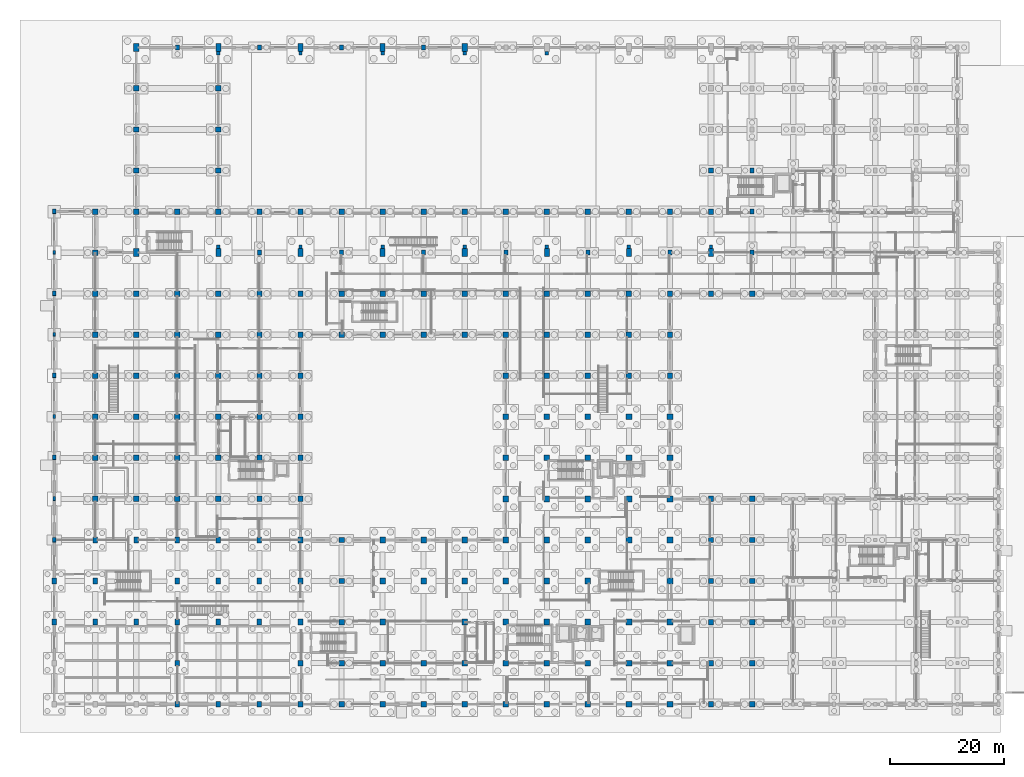
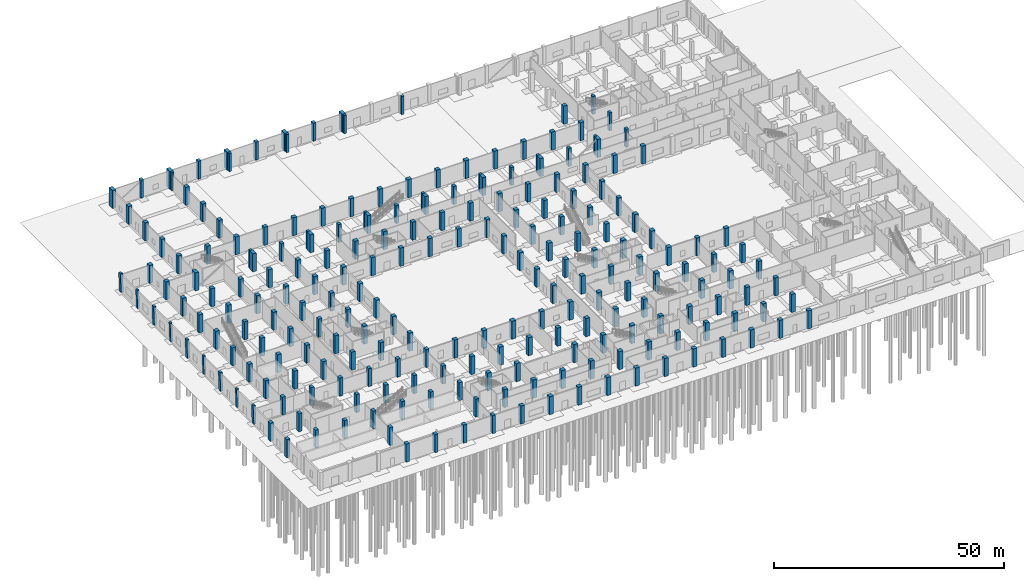
# One storey, part 13 of 48: 227 columns.
"""IFC4 building model written with IfcOpenShell, lengths in metres."""

from ifc_helpers import new_model, si_unit, direction, frame, origin, origin_2d, place, context, subcontext, project, spatial, rectangle, extrude, material, material_profile, profile_set, type_object, element, save


model = new_model("IFC4")

# Units and contexts
model_context = context("Model", 3, precision=1e-05, world=origin(), true_north=direction((0.0, 1.0)))
body_context = subcontext(model_context, "Body", "Model", "MODEL_VIEW")
ifc_project = project(units=[si_unit("LENGTHUNIT", "METRE"), si_unit("AREAUNIT", "SQUARE_METRE"), si_unit("VOLUMEUNIT", "CUBIC_METRE"), si_unit("PLANEANGLEUNIT", "RADIAN"), si_unit("MASSUNIT", "GRAM", prefix="KILO")], contexts=[model_context])

# Site, building, storey
site_placement = place(None, origin())
site = spatial("IfcSite", under=ifc_project, at=site_placement, CompositionType="ELEMENT")
building_placement = place(site_placement, origin())
building = spatial("IfcBuilding", under=site, at=building_placement, Name="Seraya Terrace Polytechnic", CompositionType="ELEMENT")
storey_placement = place(building_placement, origin())
storey = spatial("IfcBuildingStorey", under=building, at=storey_placement, Name="L00", CompositionType="ELEMENT", Elevation=0.0)

# Columns
ifc_material = material(Name="Concrete C40/50", Category="concrete")
ifc_material_profile_1 = material_profile(ifc_material, rectangle(XDim=1.0, YDim=1.0, at=origin_2d()), Name="RC 1000x1000")
ifc_profile_set_1 = profile_set([ifc_material_profile_1], Name="Concrete C40/50")
column_type_1 = type_object("IfcColumnType", Name="C-01", PredefinedType="COLUMN", material=ifc_profile_set_1)
for number, where, z_axis, x_axis, name in (
    (1, (57.60009765625, 0.0, 0.0), (0.0, 0.0, 1.0), (1.0, 0.0, 0.0), "Column C-01 L00 (57.6, 0.0)"),
    (2, (57.60009765625, 7.199951171875, 0.0), (0.0, 0.0, 1.0), (1.0, 0.0, 0.0), "Column C-01 L00 (57.6, 7.2)"),
    (3, (57.60009765625, 14.39990234375, 0.0), (0.0, 0.0, 1.0), (1.0, 0.0, 0.0), "Column C-01 L00 (57.6, 14.4)"),
    (4, (57.60009765625, 21.60009765625, 0.0), (0.0, 0.0, 1.0), (1.0, 0.0, 0.0), "Column C-01 L00 (57.6, 21.6)"),
    (5, (57.60009765625, 28.800048828125, 0.0), (0.0, 0.0, 1.0), (1.0, 0.0, 0.0), "Column C-01 L00 (57.6, 28.8)"),
    (6, (64.800048828125, 0.0, 0.0), (0.0, 0.0, 1.0), (1.0, 0.0, 0.0), "Column C-01 L00 (64.8, 0.0)"),
    (7, (64.800048828125, 7.199951171875, 0.0), (0.0, 0.0, 1.0), (1.0, 0.0, 0.0), "Column C-01 L00 (64.8, 7.2)"),
    (8, (64.800048828125, 21.60009765625, 0.0), (0.0, 0.0, 1.0), (1.0, 0.0, 0.0), "Column C-01 L00 (64.8, 21.6)"),
    (9, (64.800048828125, 28.800048828125, 0.0), (0.0, 0.0, 1.0), (1.0, 0.0, 0.0), "Column C-01 L00 (64.8, 28.8)"),
    (10, (72.0, 0.0, 0.0), (0.0, 0.0, 1.0), (1.0, 0.0, 0.0), "Column C-01 L00 (72.0, 0.0)"),
    (11, (72.0, 7.199951171875, 0.0), (0.0, 0.0, 1.0), (1.0, 0.0, 0.0), "Column C-01 L00 (72.0, 7.2)"),
    (12, (72.0, 14.39990234375, 0.0), (0.0, 0.0, 1.0), (1.0, 0.0, 0.0), "Column C-01 L00 (72.0, 14.4)"),
    (13, (72.0, 21.60009765625, 0.0), (0.0, 0.0, 1.0), (1.0, 0.0, 0.0), "Column C-01 L00 (72.0, 21.6)"),
    (14, (72.0, 28.800048828125, 0.0), (0.0, 0.0, 1.0), (1.0, 0.0, 0.0), "Column C-01 L00 (72.0, 28.8)"),
    (15, (79.199951171875, 0.0, 0.0), (0.0, 0.0, 1.0), (1.0, 0.0, 0.0), "Column C-01 L00 (79.2, 0.0)"),
    (16, (79.199951171875, 7.199951171875, 0.0), (0.0, 0.0, 1.0), (1.0, 0.0, 0.0), "Column C-01 L00 (79.2, 7.2)"),
    (17, (79.199951171875, 14.39990234375, 0.0), (0.0, 0.0, 1.0), (1.0, 0.0, 0.0), "Column C-01 L00 (79.2, 14.4)"),
    (18, (79.199951171875, 21.60009765625, 0.0), (0.0, 0.0, 1.0), (1.0, 0.0, 0.0), "Column C-01 L00 (79.2, 21.6)"),
    (19, (79.199951171875, 28.800048828125, 0.0), (0.0, 0.0, 1.0), (1.0, 0.0, 0.0), "Column C-01 L00 (79.2, 28.8)"),
    (20, (79.199951171875, 36.0, 0.0), (0.0, 0.0, 1.0), (1.0, 0.0, 0.0), "Column C-01 L00 (79.2, 36.0)"),
    (21, (79.199951171875, 43.199951171875, 0.0), (0.0, 0.0, 1.0), (1.0, 0.0, 0.0), "Column C-01 L00 (79.2, 43.2)"),
    (22, (79.199951171875, 50.39990234375, 0.0), (0.0, 0.0, 1.0), (1.0, 0.0, 0.0), "Column C-01 L00 (79.2, 50.4)"),
    (23, (86.39990234375, 0.0, 0.0), (0.0, 0.0, 1.0), (1.0, 0.0, 0.0), "Column C-01 L00 (86.4, 0.0)"),
    (24, (86.39990234375, 7.199951171875, 0.0), (0.0, 0.0, 1.0), (1.0, 0.0, 0.0), "Column C-01 L00 (86.4, 7.2)"),
    (25, (86.39990234375, 14.39990234375, 0.0), (0.0, 0.0, 1.0), (1.0, 0.0, 0.0), "Column C-01 L00 (86.4, 14.4)"),
    (26, (86.39990234375, 21.60009765625, 0.0), (0.0, 0.0, 1.0), (1.0, 0.0, 0.0), "Column C-01 L00 (86.4, 21.6)"),
    (27, (86.39990234375, 28.800048828125, 0.0), (0.0, 0.0, 1.0), (1.0, 0.0, 0.0), "Column C-01 L00 (86.4, 28.8)"),
    (28, (86.39990234375, 36.0, 0.0), (0.0, 0.0, 1.0), (1.0, 0.0, 0.0), "Column C-01 L00 (86.4, 36.0)"),
    (29, (86.39990234375, 43.199951171875, 0.0), (0.0, 0.0, 1.0), (1.0, 0.0, 0.0), "Column C-01 L00 (86.4, 43.2)"),
    (30, (86.39990234375, 50.39990234375, 0.0), (0.0, 0.0, 1.0), (1.0, 0.0, 0.0), "Column C-01 L00 (86.4, 50.4)"),
    (31, (93.60009765625, 0.0, 0.0), (0.0, 0.0, 1.0), (1.0, 0.0, 0.0), "Column C-01 L00 (93.6, 0.0)"),
    (32, (93.60009765625, 7.199951171875, 0.0), (0.0, 0.0, 1.0), (1.0, 0.0, 0.0), "Column C-01 L00 (93.6, 7.2)"),
    (33, (93.60009765625, 14.39990234375, 0.0), (0.0, 0.0, 1.0), (1.0, 0.0, 0.0), "Column C-01 L00 (93.6, 14.4)"),
    (34, (93.60009765625, 21.60009765625, 0.0), (0.0, 0.0, 1.0), (1.0, 0.0, 0.0), "Column C-01 L00 (93.6, 21.6)"),
    (35, (93.60009765625, 28.800048828125, 0.0), (0.0, 0.0, 1.0), (1.0, 0.0, 0.0), "Column C-01 L00 (93.6, 28.8)"),
    (36, (93.60009765625, 36.0, 0.0), (0.0, 0.0, 1.0), (1.0, 0.0, 0.0), "Column C-01 L00 (93.6, 36.0)"),
    (37, (93.60009765625, 43.199951171875, 0.0), (0.0, 0.0, 1.0), (1.0, 0.0, 0.0), "Column C-01 L00 (93.6, 43.2)"),
    (38, (93.60009765625, 50.39990234375, 0.0), (0.0, 0.0, 1.0), (1.0, 0.0, 0.0), "Column C-01 L00 (93.6, 50.4)"),
    (39, (100.800048828125, 0.0, 0.0), (0.0, 0.0, 1.0), (1.0, 0.0, 0.0), "Column C-01 L00 (100.8, 0.0)"),
    (40, (100.800048828125, 7.199951171875, 0.0), (0.0, 0.0, 1.0), (1.0, 0.0, 0.0), "Column C-01 L00 (100.8, 7.2)"),
    (41, (100.800048828125, 14.39990234375, 0.0), (0.0, 0.0, 1.0), (1.0, 0.0, 0.0), "Column C-01 L00 (100.8, 14.4)"),
    (42, (100.800048828125, 28.800048828125, 0.0), (0.0, 0.0, 1.0), (1.0, 0.0, 0.0), "Column C-01 L00 (100.8, 28.8)"),
    (43, (100.800048828125, 36.0, 0.0), (0.0, 0.0, 1.0), (1.0, 0.0, 0.0), "Column C-01 L00 (100.8, 36.0)"),
    (44, (100.800048828125, 43.199951171875, 0.0), (0.0, 0.0, 1.0), (1.0, 0.0, 0.0), "Column C-01 L00 (100.8, 43.2)"),
    (45, (100.800048828125, 50.39990234375, 0.0), (0.0, 0.0, 1.0), (1.0, 0.0, 0.0), "Column C-01 L00 (100.8, 50.4)"),
    (46, (108.0, 0.0, 0.0), (0.0, 0.0, 1.0), (1.0, 0.0, 0.0), "Column C-01 L00 (108.0, 0.0)"),
    (47, (108.0, 7.199951171875, 0.0), (0.0, 0.0, 1.0), (1.0, 0.0, 0.0), "Column C-01 L00 (108.0, 7.2)"),
    (48, (108.0, 14.39990234375, 0.0), (0.0, 0.0, 1.0), (1.0, 0.0, 0.0), "Column C-01 L00 (108.0, 14.4)"),
    (49, (108.0, 21.60009765625, 0.0), (0.0, 0.0, 1.0), (1.0, 0.0, 0.0), "Column C-01 L00 (108.0, 21.6)"),
    (50, (108.0, 28.800048828125, 0.0), (0.0, 0.0, 1.0), (1.0, 0.0, 0.0), "Column C-01 L00 (108.0, 28.8)"),
    (51, (108.0, 36.0, 0.0), (0.0, 0.0, 1.0), (1.0, 0.0, 0.0), "Column C-01 L00 (108.0, 36.0)"),
    (52, (108.0, 43.199951171875, 0.0), (0.0, 0.0, 1.0), (1.0, 0.0, 0.0), "Column C-01 L00 (108.0, 43.2)"),
    (53, (108.0, 50.39990234375, 0.0), (0.0, 0.0, 1.0), (1.0, 0.0, 0.0), "Column C-01 L00 (108.0, 50.4)"),
):
    element("IfcColumn", number, at=place(storey_placement, frame(where, z_axis=z_axis, x_axis=x_axis)), inside=storey, type_object=column_type_1, Name=name, PredefinedType="COLUMN", context=body_context, shape_type="SweptSolid", body=[
        extrude(rectangle(XDim=1.0, YDim=1.0, at=origin_2d()), origin(), (0.0, 0.0, 1.0), 4.800048828125),
    ])
ifc_material_profile_2 = material_profile(ifc_material, rectangle(XDim=0.949951171875, YDim=0.949951171875, at=origin_2d()), Name="RC 950x950")
ifc_profile_set_2 = profile_set([ifc_material_profile_2], Name="Concrete C40/50")
column_type_2 = type_object("IfcColumnType", Name="C-02", PredefinedType="COLUMN", material=ifc_profile_set_2)
for number, where, z_axis, x_axis, name in (
    (54, (7.199951171875, 36.0, 0.0), (0.0, 0.0, 1.0), (1.0, 0.0, 0.0), "Column C-02 L00 (7.2, 36.0)"),
    (55, (7.199951171875, 43.199951171875, 0.0), (0.0, 0.0, 1.0), (1.0, 0.0, 0.0), "Column C-02 L00 (7.2, 43.2)"),
    (56, (7.199951171875, 50.39990234375, 0.0), (0.0, 0.0, 1.0), (1.0, 0.0, 0.0), "Column C-02 L00 (7.2, 50.4)"),
    (57, (7.199951171875, 57.60009765625, 0.0), (0.0, 0.0, 1.0), (1.0, 0.0, 0.0), "Column C-02 L00 (7.2, 57.6)"),
    (58, (7.199951171875, 64.800048828125, 0.0), (0.0, 0.0, 1.0), (1.0, 0.0, 0.0), "Column C-02 L00 (7.2, 64.8)"),
    (59, (7.199951171875, 72.0, 0.0), (0.0, 0.0, 1.0), (1.0, 0.0, 0.0), "Column C-02 L00 (7.2, 72.0)"),
    (60, (7.199951171875, 79.199951171875, 0.0), (0.0, 0.0, 1.0), (1.0, 0.0, 0.0), "Column C-02 L00 (7.2, 79.2)"),
    (61, (7.199951171875, 86.39990234375, 0.0), (0.0, 0.0, 1.0), (1.0, 0.0, 0.0), "Column C-02 L00 (7.2, 86.4)"),
    (62, (14.39990234375, 36.0, 0.0), (0.0, 0.0, 1.0), (1.0, 0.0, 0.0), "Column C-02 L00 (14.4, 36.0)"),
    (63, (14.39990234375, 43.199951171875, 0.0), (0.0, 0.0, 1.0), (1.0, 0.0, 0.0), "Column C-02 L00 (14.4, 43.2)"),
    (64, (14.39990234375, 50.39990234375, 0.0), (0.0, 0.0, 1.0), (1.0, 0.0, 0.0), "Column C-02 L00 (14.4, 50.4)"),
    (65, (14.39990234375, 57.60009765625, 0.0), (0.0, 0.0, 1.0), (1.0, 0.0, 0.0), "Column C-02 L00 (14.4, 57.6)"),
    (66, (14.39990234375, 64.800048828125, 0.0), (0.0, 0.0, 1.0), (1.0, 0.0, 0.0), "Column C-02 L00 (14.4, 64.8)"),
    (67, (14.39990234375, 72.0, 0.0), (0.0, 0.0, 1.0), (1.0, 0.0, 0.0), "Column C-02 L00 (14.4, 72.0)"),
    (68, (14.39990234375, 86.39990234375, 0.0), (0.0, 0.0, 1.0), (1.0, 0.0, 0.0), "Column C-02 L00 (14.4, 86.4)"),
    (69, (14.39990234375, 93.60009765625, 0.0), (0.0, 0.0, 1.0), (1.0, 0.0, 0.0), "Column C-02 L00 (14.4, 93.6)"),
    (70, (14.39990234375, 100.800048828125, 0.0), (0.0, 0.0, 1.0), (1.0, 0.0, 0.0), "Column C-02 L00 (14.4, 100.8)"),
    (71, (14.39990234375, 108.0, 0.0), (0.0, 0.0, 1.0), (1.0, 0.0, 0.0), "Column C-02 L00 (14.4, 108.0)"),
    (72, (21.60009765625, 36.0, 0.0), (0.0, 0.0, 1.0), (1.0, 0.0, 0.0), "Column C-02 L00 (21.6, 36.0)"),
    (73, (21.60009765625, 43.199951171875, 0.0), (0.0, 0.0, 1.0), (1.0, 0.0, 0.0), "Column C-02 L00 (21.6, 43.2)"),
    (74, (21.60009765625, 50.39990234375, 0.0), (0.0, 0.0, 1.0), (1.0, 0.0, 0.0), "Column C-02 L00 (21.6, 50.4)"),
    (75, (21.60009765625, 57.60009765625, 0.0), (0.0, 0.0, 1.0), (1.0, 0.0, 0.0), "Column C-02 L00 (21.6, 57.6)"),
    (76, (21.60009765625, 64.800048828125, 0.0), (0.0, 0.0, 1.0), (1.0, 0.0, 0.0), "Column C-02 L00 (21.6, 64.8)"),
    (77, (21.60009765625, 72.0, 0.0), (0.0, 0.0, 1.0), (1.0, 0.0, 0.0), "Column C-02 L00 (21.6, 72.0)"),
    (78, (21.60009765625, 86.39990234375, 0.0), (0.0, 0.0, 1.0), (1.0, 0.0, 0.0), "Column C-02 L00 (21.6, 86.4)"),
    (79, (28.800048828125, 36.0, 0.0), (0.0, 0.0, 1.0), (1.0, 0.0, 0.0), "Column C-02 L00 (28.8, 36.0)"),
    (80, (28.800048828125, 43.199951171875, 0.0), (0.0, 0.0, 1.0), (1.0, 0.0, 0.0), "Column C-02 L00 (28.8, 43.2)"),
    (81, (28.800048828125, 50.39990234375, 0.0), (0.0, 0.0, 1.0), (1.0, 0.0, 0.0), "Column C-02 L00 (28.8, 50.4)"),
    (82, (28.800048828125, 57.60009765625, 0.0), (0.0, 0.0, 1.0), (1.0, 0.0, 0.0), "Column C-02 L00 (28.8, 57.6)"),
    (83, (28.800048828125, 64.800048828125, 0.0), (0.0, 0.0, 1.0), (1.0, 0.0, 0.0), "Column C-02 L00 (28.8, 64.8)"),
    (84, (28.800048828125, 72.0, 0.0), (0.0, 0.0, 1.0), (1.0, 0.0, 0.0), "Column C-02 L00 (28.8, 72.0)"),
    (85, (28.800048828125, 86.39990234375, 0.0), (0.0, 0.0, 1.0), (1.0, 0.0, 0.0), "Column C-02 L00 (28.8, 86.4)"),
    (86, (28.800048828125, 93.60009765625, 0.0), (0.0, 0.0, 1.0), (1.0, 0.0, 0.0), "Column C-02 L00 (28.8, 93.6)"),
    (87, (28.800048828125, 100.800048828125, 0.0), (0.0, 0.0, 1.0), (1.0, 0.0, 0.0), "Column C-02 L00 (28.8, 100.8)"),
    (88, (28.800048828125, 108.0, 0.0), (0.0, 0.0, 1.0), (1.0, 0.0, 0.0), "Column C-02 L00 (28.8, 108.0)"),
    (89, (36.0, 36.0, 0.0), (0.0, 0.0, 1.0), (1.0, 0.0, 0.0), "Column C-02 L00 (36.0, 36.0)"),
    (90, (36.0, 43.199951171875, 0.0), (0.0, 0.0, 1.0), (1.0, 0.0, 0.0), "Column C-02 L00 (36.0, 43.2)"),
    (91, (36.0, 50.39990234375, 0.0), (0.0, 0.0, 1.0), (1.0, 0.0, 0.0), "Column C-02 L00 (36.0, 50.4)"),
    (92, (36.0, 57.60009765625, 0.0), (0.0, 0.0, 1.0), (1.0, 0.0, 0.0), "Column C-02 L00 (36.0, 57.6)"),
    (93, (36.0, 64.800048828125, 0.0), (0.0, 0.0, 1.0), (1.0, 0.0, 0.0), "Column C-02 L00 (36.0, 64.8)"),
    (94, (36.0, 72.0, 0.0), (0.0, 0.0, 1.0), (1.0, 0.0, 0.0), "Column C-02 L00 (36.0, 72.0)"),
    (95, (36.0, 86.39990234375, 0.0), (0.0, 0.0, 1.0), (1.0, 0.0, 0.0), "Column C-02 L00 (36.0, 86.4)"),
    (96, (43.199951171875, 36.0, 0.0), (0.0, 0.0, 1.0), (1.0, 0.0, 0.0), "Column C-02 L00 (43.2, 36.0)"),
    (97, (43.199951171875, 43.199951171875, 0.0), (0.0, 0.0, 1.0), (1.0, 0.0, 0.0), "Column C-02 L00 (43.2, 43.2)"),
    (98, (43.199951171875, 50.39990234375, 0.0), (0.0, 0.0, 1.0), (1.0, 0.0, 0.0), "Column C-02 L00 (43.2, 50.4)"),
    (99, (43.199951171875, 57.60009765625, 0.0), (0.0, 0.0, 1.0), (1.0, 0.0, 0.0), "Column C-02 L00 (43.2, 57.6)"),
    (100, (43.199951171875, 64.800048828125, 0.0), (0.0, 0.0, 1.0), (1.0, 0.0, 0.0), "Column C-02 L00 (43.2, 64.8)"),
    (101, (43.199951171875, 72.0, 0.0), (0.0, 0.0, 1.0), (1.0, 0.0, 0.0), "Column C-02 L00 (43.2, 72.0)"),
    (102, (43.199951171875, 86.39990234375, 0.0), (0.0, 0.0, 1.0), (1.0, 0.0, 0.0), "Column C-02 L00 (43.2, 86.4)"),
    (103, (50.39990234375, 0.0, 0.0), (0.0, 0.0, 1.0), (1.0, 0.0, 0.0), "Column C-02 L00 (50.4, 0.0)"),
    (104, (50.39990234375, 7.199951171875, 0.0), (0.0, 0.0, 1.0), (1.0, 0.0, 0.0), "Column C-02 L00 (50.4, 7.2)"),
    (105, (50.39990234375, 14.39990234375, 0.0), (0.0, 0.0, 1.0), (1.0, 0.0, 0.0), "Column C-02 L00 (50.4, 14.4)"),
    (106, (50.39990234375, 21.60009765625, 0.0), (0.0, 0.0, 1.0), (1.0, 0.0, 0.0), "Column C-02 L00 (50.4, 21.6)"),
    (107, (50.39990234375, 28.800048828125, 0.0), (0.0, 0.0, 1.0), (1.0, 0.0, 0.0), "Column C-02 L00 (50.4, 28.8)"),
    (108, (50.39990234375, 64.800048828125, 0.0), (0.0, 0.0, 1.0), (1.0, 0.0, 0.0), "Column C-02 L00 (50.4, 64.8)"),
    (109, (50.39990234375, 72.0, 0.0), (0.0, 0.0, 1.0), (1.0, 0.0, 0.0), "Column C-02 L00 (50.4, 72.0)"),
    (110, (50.39990234375, 86.39990234375, 0.0), (0.0, 0.0, 1.0), (1.0, 0.0, 0.0), "Column C-02 L00 (50.4, 86.4)"),
    (111, (57.60009765625, 64.800048828125, 0.0), (0.0, 0.0, 1.0), (1.0, 0.0, 0.0), "Column C-02 L00 (57.6, 64.8)"),
    (112, (57.60009765625, 72.0, 0.0), (0.0, 0.0, 1.0), (1.0, 0.0, 0.0), "Column C-02 L00 (57.6, 72.0)"),
    (113, (57.60009765625, 86.39990234375, 0.0), (0.0, 0.0, 1.0), (1.0, 0.0, 0.0), "Column C-02 L00 (57.6, 86.4)"),
    (114, (64.800048828125, 64.800048828125, 0.0), (0.0, 0.0, 1.0), (1.0, 0.0, 0.0), "Column C-02 L00 (64.8, 64.8)"),
    (115, (64.800048828125, 72.0, 0.0), (0.0, 0.0, 1.0), (1.0, 0.0, 0.0), "Column C-02 L00 (64.8, 72.0)"),
    (116, (64.800048828125, 86.39990234375, 0.0), (0.0, 0.0, 1.0), (1.0, 0.0, 0.0), "Column C-02 L00 (64.8, 86.4)"),
    (117, (72.0, 64.800048828125, 0.0), (0.0, 0.0, 1.0), (1.0, 0.0, 0.0), "Column C-02 L00 (72.0, 64.8)"),
    (118, (72.0, 72.0, 0.0), (0.0, 0.0, 1.0), (1.0, 0.0, 0.0), "Column C-02 L00 (72.0, 72.0)"),
    (119, (72.0, 86.39990234375, 0.0), (0.0, 0.0, 1.0), (1.0, 0.0, 0.0), "Column C-02 L00 (72.0, 86.4)"),
    (120, (79.199951171875, 57.60009765625, 0.0), (0.0, 0.0, 1.0), (1.0, 0.0, 0.0), "Column C-02 L00 (79.2, 57.6)"),
    (121, (79.199951171875, 64.800048828125, 0.0), (0.0, 0.0, 1.0), (1.0, 0.0, 0.0), "Column C-02 L00 (79.2, 64.8)"),
    (122, (79.199951171875, 72.0, 0.0), (0.0, 0.0, 1.0), (1.0, 0.0, 0.0), "Column C-02 L00 (79.2, 72.0)"),
    (123, (79.199951171875, 86.39990234375, 0.0), (0.0, 0.0, 1.0), (1.0, 0.0, 0.0), "Column C-02 L00 (79.2, 86.4)"),
    (124, (86.39990234375, 57.60009765625, 0.0), (0.0, 0.0, 1.0), (1.0, 0.0, 0.0), "Column C-02 L00 (86.4, 57.6)"),
    (125, (86.39990234375, 64.800048828125, 0.0), (0.0, 0.0, 1.0), (1.0, 0.0, 0.0), "Column C-02 L00 (86.4, 64.8)"),
    (126, (86.39990234375, 72.0, 0.0), (0.0, 0.0, 1.0), (1.0, 0.0, 0.0), "Column C-02 L00 (86.4, 72.0)"),
    (127, (86.39990234375, 86.39990234375, 0.0), (0.0, 0.0, 1.0), (1.0, 0.0, 0.0), "Column C-02 L00 (86.4, 86.4)"),
    (128, (93.60009765625, 57.60009765625, 0.0), (0.0, 0.0, 1.0), (1.0, 0.0, 0.0), "Column C-02 L00 (93.6, 57.6)"),
    (129, (93.60009765625, 64.800048828125, 0.0), (0.0, 0.0, 1.0), (1.0, 0.0, 0.0), "Column C-02 L00 (93.6, 64.8)"),
    (130, (93.60009765625, 72.0, 0.0), (0.0, 0.0, 1.0), (1.0, 0.0, 0.0), "Column C-02 L00 (93.6, 72.0)"),
    (131, (93.60009765625, 86.39990234375, 0.0), (0.0, 0.0, 1.0), (1.0, 0.0, 0.0), "Column C-02 L00 (93.6, 86.4)"),
    (132, (100.800048828125, 57.60009765625, 0.0), (0.0, 0.0, 1.0), (1.0, 0.0, 0.0), "Column C-02 L00 (100.8, 57.6)"),
    (133, (100.800048828125, 64.800048828125, 0.0), (0.0, 0.0, 1.0), (1.0, 0.0, 0.0), "Column C-02 L00 (100.8, 64.8)"),
    (134, (100.800048828125, 72.0, 0.0), (0.0, 0.0, 1.0), (1.0, 0.0, 0.0), "Column C-02 L00 (100.8, 72.0)"),
    (135, (100.800048828125, 86.39990234375, 0.0), (0.0, 0.0, 1.0), (1.0, 0.0, 0.0), "Column C-02 L00 (100.8, 86.4)"),
    (136, (108.0, 57.60009765625, 0.0), (0.0, 0.0, 1.0), (1.0, 0.0, 0.0), "Column C-02 L00 (108.0, 57.6)"),
    (137, (108.0, 64.800048828125, 0.0), (0.0, 0.0, 1.0), (1.0, 0.0, 0.0), "Column C-02 L00 (108.0, 64.8)"),
    (138, (108.0, 72.0, 0.0), (0.0, 0.0, 1.0), (1.0, 0.0, 0.0), "Column C-02 L00 (108.0, 72.0)"),
    (139, (108.0, 86.39990234375, 0.0), (0.0, 0.0, 1.0), (1.0, 0.0, 0.0), "Column C-02 L00 (108.0, 86.4)"),
    (140, (115.199951171875, 0.0, 0.0), (0.0, 0.0, 1.0), (1.0, 0.0, 0.0), "Column C-02 L00 (115.2, 0.0)"),
    (141, (115.199951171875, 7.199951171875, 0.0), (0.0, 0.0, 1.0), (1.0, 0.0, 0.0), "Column C-02 L00 (115.2, 7.2)"),
    (142, (115.199951171875, 14.39990234375, 0.0), (0.0, 0.0, 1.0), (1.0, 0.0, 0.0), "Column C-02 L00 (115.2, 14.4)"),
    (143, (115.199951171875, 21.60009765625, 0.0), (0.0, 0.0, 1.0), (1.0, 0.0, 0.0), "Column C-02 L00 (115.2, 21.6)"),
    (144, (115.199951171875, 28.800048828125, 0.0), (0.0, 0.0, 1.0), (1.0, 0.0, 0.0), "Column C-02 L00 (115.2, 28.8)"),
    (145, (115.199951171875, 36.0, 0.0), (0.0, 0.0, 1.0), (1.0, 0.0, 0.0), "Column C-02 L00 (115.2, 36.0)"),
    (146, (115.199951171875, 72.0, 0.0), (0.0, 0.0, 1.0), (1.0, 0.0, 0.0), "Column C-02 L00 (115.2, 72.0)"),
    (147, (115.199951171875, 86.39990234375, 0.0), (0.0, 0.0, 1.0), (1.0, 0.0, 0.0), "Column C-02 L00 (115.2, 86.4)"),
    (148, (115.199951171875, 93.60009765625, 0.0), (0.0, 0.0, 1.0), (1.0, 0.0, 0.0), "Column C-02 L00 (115.2, 93.6)"),
    (149, (122.39990234375, 0.0, 0.0), (0.0, 0.0, 1.0), (1.0, 0.0, 0.0), "Column C-02 L00 (122.4, 0.0)"),
    (150, (122.39990234375, 7.199951171875, 0.0), (0.0, 0.0, 1.0), (1.0, 0.0, 0.0), "Column C-02 L00 (122.4, 7.2)"),
    (151, (122.39990234375, 14.39990234375, 0.0), (0.0, 0.0, 1.0), (1.0, 0.0, 0.0), "Column C-02 L00 (122.4, 14.4)"),
    (152, (122.39990234375, 21.60009765625, 0.0), (0.0, 0.0, 1.0), (1.0, 0.0, 0.0), "Column C-02 L00 (122.4, 21.6)"),
    (153, (122.39990234375, 28.800048828125, 0.0), (0.0, 0.0, 1.0), (1.0, 0.0, 0.0), "Column C-02 L00 (122.4, 28.8)"),
    (154, (122.39990234375, 36.0, 0.0), (0.0, 0.0, 1.0), (1.0, 0.0, 0.0), "Column C-02 L00 (122.4, 36.0)"),
    (155, (122.39990234375, 72.0, 0.0), (0.0, 0.0, 1.0), (1.0, 0.0, 0.0), "Column C-02 L00 (122.4, 72.0)"),
):
    element("IfcColumn", number, at=place(storey_placement, frame(where, z_axis=z_axis, x_axis=x_axis)), inside=storey, type_object=column_type_2, Name=name, PredefinedType="COLUMN", context=body_context, shape_type="SweptSolid", body=[
        extrude(rectangle(XDim=0.949951171875, YDim=0.949951171875, at=origin_2d()), origin(), (0.0, 0.0, 1.0), 4.800048828125),
    ])
ifc_material_profile_3 = material_profile(ifc_material, rectangle(XDim=0.60009765625, YDim=0.60009765625, at=origin_2d()), Name="RC 600x600")
ifc_profile_set_3 = profile_set([ifc_material_profile_3], Name="Concrete C40/50")
column_type_3 = type_object("IfcColumnType", Name="C-09", PredefinedType="COLUMN", material=ifc_profile_set_3)
for number, where, z_axis, x_axis, name in (
    (156, (28.800048828125, 80.219970703125, 0.0), (0.0, 0.0, 1.0), (1.0, 0.0, 0.0), "Crane shoulder column L00 (28.8, 80.22)"),
    (157, (28.800048828125, 114.179931640625, 0.0), (0.0, 0.0, 1.0), (1.0, 0.0, 0.0), "Crane shoulder column L00 (28.8, 114.18)"),
    (158, (43.199951171875, 80.219970703125, 0.0), (0.0, 0.0, 1.0), (1.0, 0.0, 0.0), "Crane shoulder column L00 (43.2, 80.22)"),
    (159, (43.199951171875, 114.179931640625, 0.0), (0.0, 0.0, 1.0), (1.0, 0.0, 0.0), "Crane shoulder column L00 (43.2, 114.18)"),
    (160, (57.60009765625, 80.219970703125, 0.0), (0.0, 0.0, 1.0), (1.0, 0.0, 0.0), "Crane shoulder column L00 (57.6, 80.22)"),
    (161, (57.60009765625, 114.179931640625, 0.0), (0.0, 0.0, 1.0), (1.0, 0.0, 0.0), "Crane shoulder column L00 (57.6, 114.18)"),
    (162, (72.0, 80.219970703125, 0.0), (0.0, 0.0, 1.0), (1.0, 0.0, 0.0), "Crane shoulder column L00 (72.0, 80.22)"),
    (163, (72.0, 114.179931640625, 0.0), (0.0, 0.0, 1.0), (1.0, 0.0, 0.0), "Crane shoulder column L00 (72.0, 114.18)"),
    (164, (86.39990234375, 80.219970703125, 0.0), (0.0, 0.0, 1.0), (1.0, 0.0, 0.0), "Crane shoulder column L00 (86.4, 80.22)"),
    (165, (86.39990234375, 114.179931640625, 0.0), (0.0, 0.0, 1.0), (1.0, 0.0, 0.0), "Crane shoulder column L00 (86.4, 114.18)"),
    (166, (100.800048828125, 80.219970703125, 0.0), (0.0, 0.0, 1.0), (1.0, 0.0, 0.0), "Crane shoulder column L00 (100.8, 80.22)"),
    (167, (115.199951171875, 80.219970703125, 0.0), (0.0, 0.0, 1.0), (1.0, 0.0, 0.0), "Crane shoulder column L00 (115.2, 80.22)"),
):
    element("IfcColumn", number, at=place(storey_placement, frame(where, z_axis=z_axis, x_axis=x_axis)), inside=storey, type_object=column_type_3, Name=name, PredefinedType="COLUMN", context=body_context, shape_type="SweptSolid", body=[
        extrude(rectangle(XDim=0.60009765625, YDim=0.60009765625, at=origin_2d()), origin(), (0.0, 0.0, 1.0), 4.800048828125),
    ])
ifc_material_profile_4 = material_profile(ifc_material, rectangle(XDim=0.89990234375, YDim=1.39990234375, at=origin_2d()), Name="RC 900x1400")
ifc_profile_set_4 = profile_set([ifc_material_profile_4], Name="Concrete C40/50")
column_type_4 = type_object("IfcColumnType", Name="C-13", PredefinedType="COLUMN", material=ifc_profile_set_4)
for number, where, z_axis, x_axis, name in (
    (168, (14.39990234375, 79.199951171875, 0.0), (0.0, 0.0, 1.0), (1.0, 0.0, 0.0), "Column C-13 L00 (14.4, 79.2)"),
    (169, (14.39990234375, 115.199951171875, 0.0), (0.0, 0.0, 1.0), (1.0, 0.0, 0.0), "Column C-13 L00 (14.4, 115.2)"),
    (170, (28.800048828125, 79.199951171875, 0.0), (0.0, 0.0, 1.0), (1.0, 0.0, 0.0), "Column C-13 L00 (28.8, 79.2)"),
    (171, (28.800048828125, 115.199951171875, 0.0), (0.0, 0.0, 1.0), (1.0, 0.0, 0.0), "Column C-13 L00 (28.8, 115.2)"),
    (172, (43.199951171875, 79.199951171875, 0.0), (0.0, 0.0, 1.0), (1.0, 0.0, 0.0), "Column C-13 L00 (43.2, 79.2)"),
    (173, (43.199951171875, 115.199951171875, 0.0), (0.0, 0.0, 1.0), (1.0, 0.0, 0.0), "Column C-13 L00 (43.2, 115.2)"),
    (174, (57.60009765625, 79.199951171875, 0.0), (0.0, 0.0, 1.0), (1.0, 0.0, 0.0), "Column C-13 L00 (57.6, 79.2)"),
    (175, (57.60009765625, 115.199951171875, 0.0), (0.0, 0.0, 1.0), (1.0, 0.0, 0.0), "Column C-13 L00 (57.6, 115.2)"),
    (176, (72.0, 79.199951171875, 0.0), (0.0, 0.0, 1.0), (1.0, 0.0, 0.0), "Column C-13 L00 (72.0, 79.2)"),
    (177, (72.0, 115.199951171875, 0.0), (0.0, 0.0, 1.0), (1.0, 0.0, 0.0), "Column C-13 L00 (72.0, 115.2)"),
    (178, (86.39990234375, 79.199951171875, 0.0), (0.0, 0.0, 1.0), (1.0, 0.0, 0.0), "Column C-13 L00 (86.4, 79.2)"),
    (179, (100.800048828125, 79.199951171875, 0.0), (0.0, 0.0, 1.0), (1.0, 0.0, 0.0), "Column C-13 L00 (100.8, 79.2)"),
    (180, (115.199951171875, 79.199951171875, 0.0), (0.0, 0.0, 1.0), (1.0, 0.0, 0.0), "Column C-13 L00 (115.2, 79.2)"),
):
    element("IfcColumn", number, at=place(storey_placement, frame(where, z_axis=z_axis, x_axis=x_axis)), inside=storey, type_object=column_type_4, Name=name, PredefinedType="COLUMN", context=body_context, shape_type="SweptSolid", body=[
        extrude(rectangle(XDim=0.89990234375, YDim=1.39990234375, at=origin_2d()), origin(), (0.0, 0.0, 1.0), 4.800048828125),
    ])
ifc_material_profile_5 = material_profile(ifc_material, rectangle(XDim=0.800048828125, YDim=1.0, at=origin_2d()), Name="RC 800x1000")
ifc_profile_set_5 = profile_set([ifc_material_profile_5], Name="Concrete C40/50")
column_type_5 = type_object("IfcColumnType", Name="C-14", PredefinedType="COLUMN", material=ifc_profile_set_5)
for number, where, z_axis, x_axis, name in (
    (181, (0.0, 14.39990234375, 0.0), (0.0, 0.0, 1.0), (1.0, 0.0, 0.0), "Column C-14 L00 (0.0, 14.4)"),
    (182, (0.0, 21.60009765625, 0.0), (0.0, 0.0, 1.0), (1.0, 0.0, 0.0), "Column C-14 L00 (0.0, 21.6)"),
    (183, (7.199951171875, 14.39990234375, 0.0), (0.0, 0.0, 1.0), (1.0, 0.0, 0.0), "Column C-14 L00 (7.2, 14.4)"),
    (184, (7.199951171875, 21.60009765625, 0.0), (0.0, 0.0, 1.0), (1.0, 0.0, 0.0), "Column C-14 L00 (7.2, 21.6)"),
    (185, (7.199951171875, 28.800048828125, 0.0), (0.0, 0.0, 1.0), (1.0, 0.0, 0.0), "Column C-14 L00 (7.2, 28.8)"),
    (186, (14.39990234375, 14.39990234375, 0.0), (0.0, 0.0, 1.0), (1.0, 0.0, 0.0), "Column C-14 L00 (14.4, 14.4)"),
    (187, (14.39990234375, 28.800048828125, 0.0), (0.0, 0.0, 1.0), (1.0, 0.0, 0.0), "Column C-14 L00 (14.4, 28.8)"),
    (188, (21.60009765625, 0.0, 0.0), (0.0, 0.0, 1.0), (1.0, 0.0, 0.0), "Column C-14 L00 (21.6, 0.0)"),
    (189, (21.60009765625, 7.199951171875, 0.0), (0.0, 0.0, 1.0), (1.0, 0.0, 0.0), "Column C-14 L00 (21.6, 7.2)"),
    (190, (21.60009765625, 14.39990234375, 0.0), (0.0, 0.0, 1.0), (1.0, 0.0, 0.0), "Column C-14 L00 (21.6, 14.4)"),
    (191, (21.60009765625, 21.60009765625, 0.0), (0.0, 0.0, 1.0), (1.0, 0.0, 0.0), "Column C-14 L00 (21.6, 21.6)"),
    (192, (21.60009765625, 28.800048828125, 0.0), (0.0, 0.0, 1.0), (1.0, 0.0, 0.0), "Column C-14 L00 (21.6, 28.8)"),
    (193, (28.800048828125, 0.0, 0.0), (0.0, 0.0, 1.0), (1.0, 0.0, 0.0), "Column C-14 L00 (28.8, 0.0)"),
    (194, (28.800048828125, 14.39990234375, 0.0), (0.0, 0.0, 1.0), (1.0, 0.0, 0.0), "Column C-14 L00 (28.8, 14.4)"),
    (195, (28.800048828125, 21.60009765625, 0.0), (0.0, 0.0, 1.0), (1.0, 0.0, 0.0), "Column C-14 L00 (28.8, 21.6)"),
    (196, (28.800048828125, 28.800048828125, 0.0), (0.0, 0.0, 1.0), (1.0, 0.0, 0.0), "Column C-14 L00 (28.8, 28.8)"),
    (197, (36.0, 0.0, 0.0), (0.0, 0.0, 1.0), (1.0, 0.0, 0.0), "Column C-14 L00 (36.0, 0.0)"),
    (198, (36.0, 14.39990234375, 0.0), (0.0, 0.0, 1.0), (1.0, 0.0, 0.0), "Column C-14 L00 (36.0, 14.4)"),
    (199, (36.0, 21.60009765625, 0.0), (0.0, 0.0, 1.0), (1.0, 0.0, 0.0), "Column C-14 L00 (36.0, 21.6)"),
    (200, (36.0, 28.800048828125, 0.0), (0.0, 0.0, 1.0), (1.0, 0.0, 0.0), "Column C-14 L00 (36.0, 28.8)"),
    (201, (43.199951171875, 0.0, 0.0), (0.0, 0.0, 1.0), (1.0, 0.0, 0.0), "Column C-14 L00 (43.2, 0.0)"),
    (202, (43.199951171875, 7.199951171875, 0.0), (0.0, 0.0, 1.0), (1.0, 0.0, 0.0), "Column C-14 L00 (43.2, 7.2)"),
    (203, (43.199951171875, 14.39990234375, 0.0), (0.0, 0.0, 1.0), (1.0, 0.0, 0.0), "Column C-14 L00 (43.2, 14.4)"),
    (204, (43.199951171875, 21.60009765625, 0.0), (0.0, 0.0, 1.0), (1.0, 0.0, 0.0), "Column C-14 L00 (43.2, 21.6)"),
    (205, (43.199951171875, 28.800048828125, 0.0), (0.0, 0.0, 1.0), (1.0, 0.0, 0.0), "Column C-14 L00 (43.2, 28.8)"),
):
    element("IfcColumn", number, at=place(storey_placement, frame(where, z_axis=z_axis, x_axis=x_axis)), inside=storey, type_object=column_type_5, Name=name, PredefinedType="COLUMN", context=body_context, shape_type="SweptSolid", body=[
        extrude(rectangle(XDim=0.800048828125, YDim=1.0, at=origin_2d()), origin(), (0.0, 0.0, 1.0), 4.800048828125),
    ])
ifc_material_profile_6 = material_profile(ifc_material, rectangle(XDim=0.699951171875, YDim=0.89990234375, at=origin_2d()), Name="RC 700x900")
ifc_profile_set_6 = profile_set([ifc_material_profile_6], Name="Concrete C40/50")
column_type_6 = type_object("IfcColumnType", Name="C-15", PredefinedType="COLUMN", material=ifc_profile_set_6)
for number, where, z_axis, x_axis, name in (
    (206, (21.60009765625, 115.199951171875, 0.0), (0.0, 0.0, 1.0), (1.0, 0.0, 0.0), "Column C-15 L00 (21.6, 115.2)"),
    (207, (36.0, 79.199951171875, 0.0), (0.0, 0.0, 1.0), (1.0, 0.0, 0.0), "Column C-15 L00 (36.0, 79.2)"),
    (208, (36.0, 115.199951171875, 0.0), (0.0, 0.0, 1.0), (1.0, 0.0, 0.0), "Column C-15 L00 (36.0, 115.2)"),
    (209, (50.39990234375, 79.199951171875, 0.0), (0.0, 0.0, 1.0), (1.0, 0.0, 0.0), "Column C-15 L00 (50.4, 79.2)"),
    (210, (50.39990234375, 115.199951171875, 0.0), (0.0, 0.0, 1.0), (1.0, 0.0, 0.0), "Column C-15 L00 (50.4, 115.2)"),
    (211, (64.800048828125, 79.199951171875, 0.0), (0.0, 0.0, 1.0), (1.0, 0.0, 0.0), "Column C-15 L00 (64.8, 79.2)"),
    (212, (64.800048828125, 115.199951171875, 0.0), (0.0, 0.0, 1.0), (1.0, 0.0, 0.0), "Column C-15 L00 (64.8, 115.2)"),
    (213, (79.199951171875, 79.199951171875, 0.0), (0.0, 0.0, 1.0), (1.0, 0.0, 0.0), "Column C-15 L00 (79.2, 79.2)"),
    (214, (93.60009765625, 79.199951171875, 0.0), (0.0, 0.0, 1.0), (1.0, 0.0, 0.0), "Column C-15 L00 (93.6, 79.2)"),
    (215, (108.0, 79.199951171875, 0.0), (0.0, 0.0, 1.0), (1.0, 0.0, 0.0), "Column C-15 L00 (108.0, 79.2)"),
):
    element("IfcColumn", number, at=place(storey_placement, frame(where, z_axis=z_axis, x_axis=x_axis)), inside=storey, type_object=column_type_6, Name=name, PredefinedType="COLUMN", context=body_context, shape_type="SweptSolid", body=[
        extrude(rectangle(XDim=0.699951171875, YDim=0.89990234375, at=origin_2d()), origin(), (0.0, 0.0, 1.0), 4.800048828125),
    ])
ifc_material_profile_7 = material_profile(ifc_material, rectangle(XDim=0.64990234375, YDim=0.85009765625, at=origin_2d()), Name="RC 650x850")
ifc_profile_set_7 = profile_set([ifc_material_profile_7], Name="Concrete C40/50")
column_type_7 = type_object("IfcColumnType", Name="C-16", PredefinedType="COLUMN", material=ifc_profile_set_7)
for number, where, z_axis, x_axis, name in (
    (216, (122.39990234375, 79.199951171875, 0.0), (0.0, 0.0, 1.0), (1.0, 0.0, 0.0), "Column C-16 L00 (122.4, 79.2)"),
    (217, (122.39990234375, 86.39990234375, 0.0), (0.0, 0.0, 1.0), (1.0, 0.0, 0.0), "Column C-16 L00 (122.4, 86.4)"),
    (218, (122.39990234375, 93.60009765625, 0.0), (0.0, 0.0, 1.0), (1.0, 0.0, 0.0), "Column C-16 L00 (122.4, 93.6)"),
):
    element("IfcColumn", number, at=place(storey_placement, frame(where, z_axis=z_axis, x_axis=x_axis)), inside=storey, type_object=column_type_7, Name=name, PredefinedType="COLUMN", context=body_context, shape_type="SweptSolid", body=[
        extrude(rectangle(XDim=0.64990234375, YDim=0.85009765625, at=origin_2d()), origin(), (0.0, 0.0, 1.0), 4.800048828125),
    ])
ifc_material_profile_8 = material_profile(ifc_material, rectangle(XDim=0.60009765625, YDim=0.800048828125, at=origin_2d()), Name="RC 600x800")
ifc_profile_set_8 = profile_set([ifc_material_profile_8], Name="Concrete C40/50")
column_type_8 = type_object("IfcColumnType", Name="PL-C1", PredefinedType="PILASTER", material=ifc_profile_set_8)
for number, where, z_axis, x_axis, name in (
    (219, (0.0, 28.800048828125, 0.0), (0.0, 0.062753387879, 0.99802906386), (-1.0, 0.0, 0.0), "Column PL-C1 L00 (0.0, 28.8)"),
    (220, (0.0, 43.199951171875, 0.0), (0.0, 0.062753387879, 0.99802906386), (-1.0, 0.0, 0.0), "Column PL-C1 L00 (0.0, 43.2)"),
    (221, (0.0, 57.60009765625, 0.0), (0.0, 0.062702528183, 0.99803226048), (-1.0, 0.0, 0.0), "Column PL-C1 L00 (0.0, 57.6)"),
    (222, (0.0, 72.0, 0.0), (0.0, 0.062753387879, 0.99802906386), (-1.0, 0.0, 0.0), "Column PL-C1 L00 (0.0, 72.0)"),
    (223, (0.0, 86.39990234375, 0.0), (0.0, 0.062753387879, 0.99802906386), (-1.0, 0.0, 0.0), "Column PL-C1 L00 (0.0, 86.4)"),
):
    element("IfcColumn", number, at=place(storey_placement, frame(where, z_axis=z_axis, x_axis=x_axis)), inside=storey, type_object=column_type_8, Name=name, PredefinedType="PILASTER", context=body_context, shape_type="SweptSolid", body=[
        extrude(rectangle(XDim=0.60009765625, YDim=0.800048828125, at=origin_2d()), origin(), (0.0, 0.0, 1.0), 4.781494140625),
    ])
ifc_material_profile_9 = material_profile(ifc_material, rectangle(XDim=0.5, YDim=0.64990234375, at=origin_2d()), Name="RC 500x650")
ifc_profile_set_9 = profile_set([ifc_material_profile_9], Name="Concrete C40/50")
column_type_9 = type_object("IfcColumnType", Name="PL-C3", PredefinedType="PILASTER", material=ifc_profile_set_9)
for number, where, z_axis, x_axis, name in (
    (224, (0.0, 36.0, 0.0), (0.0, 0.062753387879, 0.99802906386), (-1.0, 0.0, 0.0), "Column PL-C3 L00 (0.0, 36.0)"),
    (225, (0.0, 50.39990234375, 0.0), (0.0, 0.062753387879, 0.99802906386), (-1.0, 0.0, 0.0), "Column PL-C3 L00 (0.0, 50.4)"),
    (226, (0.0, 64.800048828125, 0.0), (0.0, 0.062753387879, 0.99802906386), (-1.0, 0.0, 0.0), "Column PL-C3 L00 (0.0, 64.8)"),
    (227, (0.0, 79.199951171875, 0.0), (0.0, 0.062753387879, 0.99802906386), (-1.0, 0.0, 0.0), "Column PL-C3 L00 (0.0, 79.2)"),
):
    element("IfcColumn", number, at=place(storey_placement, frame(where, z_axis=z_axis, x_axis=x_axis)), inside=storey, type_object=column_type_9, Name=name, PredefinedType="PILASTER", context=body_context, shape_type="SweptSolid", body=[
        extrude(rectangle(XDim=0.5, YDim=0.64990234375, at=origin_2d()), origin(), (0.0, 0.0, 1.0), 4.781494140625),
    ])

save(model, "model.ifc")
